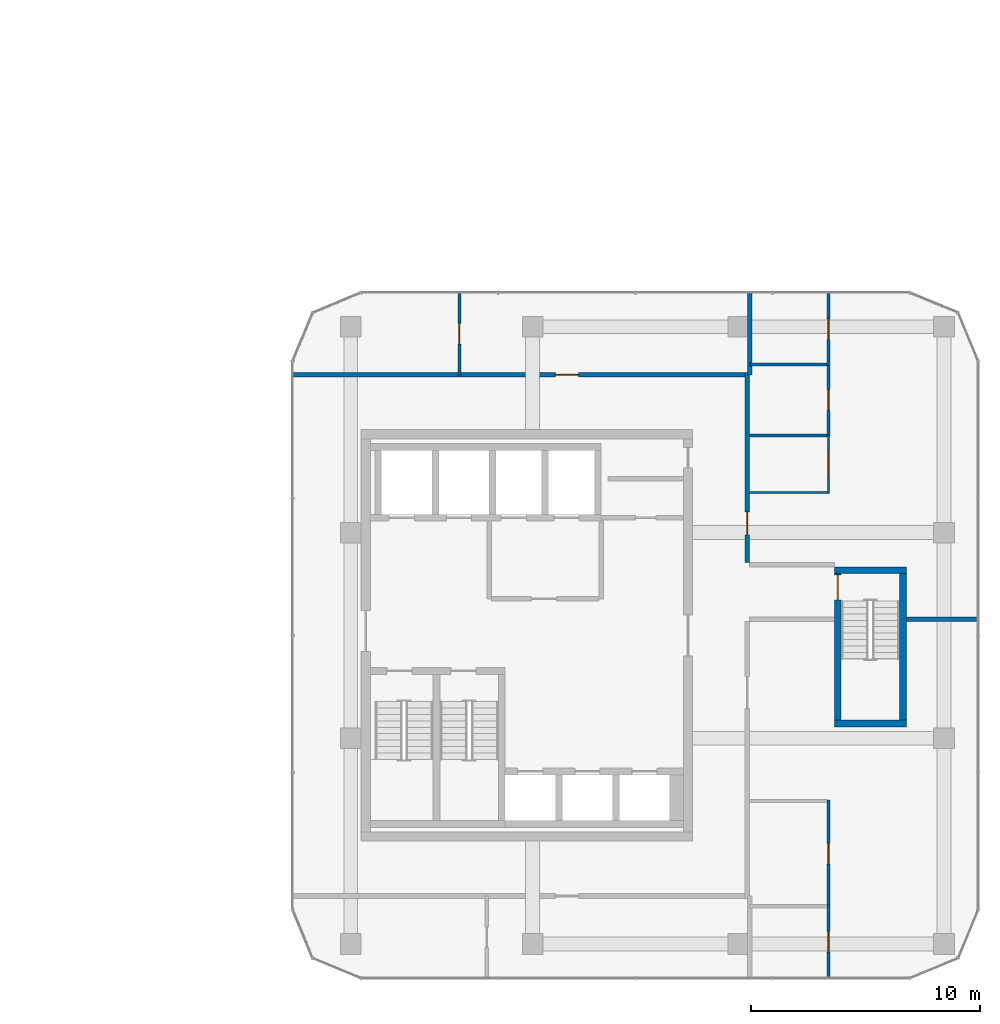
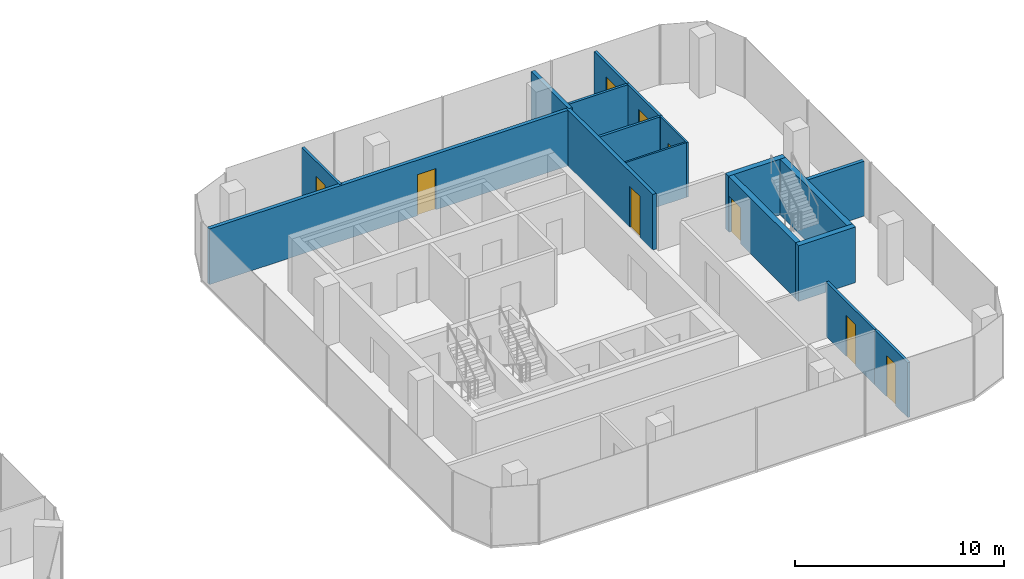
# One storey, part 18 of 22: 17 walls, 9 doors, 9 openings.
"""IFC4 building model written with IfcOpenShell, lengths in metres."""

from ifc_helpers import new_model, si_unit, direction, frame, frame_2d, origin, place, context, subcontext, project, spatial, rectangle, extrude, material, layer, layer_set, type_object, element, fill, save


model = new_model("IFC4")

# Units and contexts
model_context = context("Model", 3, precision=1e-05, world=origin(), true_north=direction((0.0, 1.0)))
body_context = subcontext(model_context, "Body", "Model", "MODEL_VIEW")
ifc_project = project(units=[si_unit("LENGTHUNIT", "METRE"), si_unit("AREAUNIT", "SQUARE_METRE"), si_unit("VOLUMEUNIT", "CUBIC_METRE"), si_unit("PLANEANGLEUNIT", "RADIAN"), si_unit("MASSUNIT", "GRAM", prefix="KILO")], contexts=[model_context])

# Site, building, storey
site_placement = place(None, origin())
site = spatial("IfcSite", under=ifc_project, at=site_placement, CompositionType="ELEMENT")
building_placement = place(site_placement, origin())
building = spatial("IfcBuilding", under=site, at=building_placement, Name="Plateau Cross Towers", CompositionType="ELEMENT")
storey_placement = place(building_placement, frame((0.0, 0.0, 113.300048828125)))
storey = spatial("IfcBuildingStorey", under=building, at=storey_placement, Name="L29", CompositionType="ELEMENT", Elevation=113.300048828125)

# Wall, opening, door
ifc_material_1 = material(Name="Concrete C60/75", Category="concrete")
ifc_layer_1 = layer(ifc_material_1, 0.300048828125)
ifc_layer_set_1 = layer_set([ifc_layer_1], Name="Concrete C60/75")
wall_type_1 = type_object("IfcWallType", Name="Core shaft wall 300", PredefinedType="SHEAR", material=ifc_layer_set_1)
wall_1_placement = place(storey_placement, frame((95.85009765625, 5.300048828125, 0.0), z_axis=(0.0, 0.0, 1.0), x_axis=(0.0, 1.0, 0.0)))
wall_1 = element("IfcWall", 1, at=wall_1_placement, inside=storey, type_object=wall_type_1, Name="B-sb3-W@L29", PredefinedType="SHEAR", context=body_context, shape_type="SweptSolid", body=[
    extrude(rectangle(XDim=6.39990234375, YDim=0.300048828125, at=frame_2d((3.199951171875, 0.0))), origin(), (0.0, 0.0, 1.0), 3.25),
])
opening_1_placement = place(wall_1_placement, frame((5.25, 0.0, 0.0)))
opening_1 = element("IfcOpeningElement", 2, at=opening_1_placement, cuts=wall_1, Name="Opening SD", PredefinedType="OPENING", context=body_context, shape_type="SweptSolid", body=[
    extrude(rectangle(XDim=1.10009765625, YDim=2.10009765625, at=frame_2d((0.550048828125, 1.050048828125))), frame((0.0, 0.159912109375, 0.0), z_axis=(0.0, -1.0, 0.0), x_axis=(1.0, 0.0, 0.0)), (0.0, 0.0, 1.0), 0.320068359375),
])
ifc_material_2 = material(Name="Steel, fire-resisting leaf", Category="steel")
door_type_1 = type_object("IfcDoorType", Name="Stair door 1100", OperationType="NOTDEFINED", PredefinedType="DOOR", material=ifc_material_2)
door_1_placement = place(opening_1_placement, origin())
door_1 = element("IfcDoor", 3, at=door_1_placement, inside=storey, type_object=door_type_1, Name="Stair door SD", OperationType="SINGLE_SWING_LEFT", OverallHeight=2.10009765625, OverallWidth=1.10009765625, PredefinedType="DOOR", context=body_context, shape_type="SweptSolid", body=[
    extrude(rectangle(XDim=1.10009765625, YDim=2.10009765625, at=frame_2d((0.550048828125, 1.050048828125))), frame((0.0, 0.02490234375, 0.0), z_axis=(0.0, -1.0, 0.0), x_axis=(1.0, 0.0, 0.0)), (0.0, 0.0, 1.0), 0.050048828125),
])
fill(opening_1, door_1)

# Walls
wall_2_placement = place(storey_placement, frame((98.699951171875, 5.300048828125, 0.0), z_axis=(0.0, 0.0, 1.0), x_axis=(0.0, 1.0, 0.0)))
element("IfcWall", 4, at=wall_2_placement, inside=storey, type_object=wall_type_1, Name="B-sb3-E@L29", PredefinedType="SHEAR", context=body_context, shape_type="SweptSolid", body=[
    extrude(rectangle(XDim=6.39990234375, YDim=0.300048828125, at=frame_2d((3.199951171875, 0.0))), origin(), (0.0, 0.0, 1.0), 3.25),
])
for number, where, z_axis, x_axis, name in (
    (5, (95.699951171875, 5.14990234375, 0.0), (0.0, 0.0, 1.0), (1.0, 0.0, 0.0), "B-sb3-S@L29"),
    (6, (95.699951171875, 11.85009765625, 0.0), (0.0, 0.0, 1.0), (1.0, 0.0, 0.0), "B-sb3-N@L29"),
):
    element("IfcWall", number, at=place(storey_placement, frame(where, z_axis=z_axis, x_axis=x_axis)), inside=storey, type_object=wall_type_1, Name=name, PredefinedType="SHEAR", context=body_context, shape_type="SweptSolid", body=[
        extrude(rectangle(XDim=3.150146484375, YDim=0.300048828125, at=frame_2d((1.5751953125, 0.0))), origin(), (0.0, 0.0, 1.0), 3.25),
    ])

# Wall, opening, door
ifc_material_3 = material(Name="Gypsum board on steel studs, two layers each side", Category="steel")
ifc_layer_2 = layer(ifc_material_3, 0.199951171875)
ifc_layer_set_2 = layer_set([ifc_layer_2], Name="Gypsum board on steel studs, two layers each side")
wall_type_2 = type_object("IfcWallType", Name="Corridor wall 200", PredefinedType="PARTITIONING", material=ifc_layer_set_2)
wall_3_placement = place(storey_placement, frame((72.0, 20.39990234375, 0.0), z_axis=(0.0, 0.0, 1.0), x_axis=(1.0, 0.0, 0.0)))
wall_3 = element("IfcWall", 7, at=wall_3_placement, inside=storey, type_object=wall_type_2, Name="Ring wall", PredefinedType="PARTITIONING", context=body_context, shape_type="SweptSolid", body=[
    extrude(rectangle(XDim=20.0, YDim=0.199951171875, at=frame_2d((10.0, 0.0))), origin(), (0.0, 0.0, 1.0), 3.25),
])
opening_2_placement = place(wall_3_placement, frame((11.5, 0.0, 0.0)))
opening_2 = element("IfcOpeningElement", 8, at=opening_2_placement, cuts=wall_3, Name="Opening D-BO10", PredefinedType="OPENING", context=body_context, shape_type="SweptSolid", body=[
    extrude(rectangle(XDim=1.0, YDim=2.39990234375, at=frame_2d((0.5, 1.199951171875))), frame((0.0, 0.10986328125, 0.0), z_axis=(0.0, -1.0, 0.0), x_axis=(1.0, 0.0, 0.0)), (0.0, 0.0, 1.0), 0.219970703125),
])
ifc_material_4 = material(Name="Fire-resisting glazed leaf in a steel frame", Category="steel")
door_type_2 = type_object("IfcDoorType", Name="Office glazed entrance leaf 1000x2400", OperationType="NOTDEFINED", PredefinedType="DOOR", material=ifc_material_4)
door_2_placement = place(opening_2_placement, origin())
door_2 = element("IfcDoor", 9, at=door_2_placement, inside=storey, type_object=door_type_2, Name="Door D-BO10", OperationType="SINGLE_SWING_LEFT", OverallHeight=2.39990234375, OverallWidth=1.0, PredefinedType="DOOR", context=body_context, shape_type="SweptSolid", body=[
    extrude(rectangle(XDim=1.0, YDim=2.39990234375, at=frame_2d((0.5, 1.199951171875))), frame((0.0, 0.02490234375, 0.0), z_axis=(0.0, -1.0, 0.0), x_axis=(1.0, 0.0, 0.0)), (0.0, 0.0, 1.0), 0.050048828125),
])
fill(opening_2, door_2)

wall_4_placement = place(storey_placement, frame((91.89990234375, 12.199951171875, 0.0), z_axis=(0.0, 0.0, 1.0), x_axis=(0.0, 1.0, 0.0)))
wall_4 = element("IfcWall", 10, at=wall_4_placement, inside=storey, type_object=wall_type_2, Name="Ring wall", PredefinedType="PARTITIONING", context=body_context, shape_type="SweptSolid", body=[
    extrude(rectangle(XDim=8.300048828125, YDim=0.199951171875, at=frame_2d((4.14990234375, 0.0))), origin(), (0.0, 0.0, 1.0), 3.25),
])
opening_3_placement = place(wall_4_placement, frame((1.199951171875, 0.0, 0.0)))
opening_3 = element("IfcOpeningElement", 11, at=opening_3_placement, cuts=wall_4, Name="Opening D-BO10", PredefinedType="OPENING", context=body_context, shape_type="SweptSolid", body=[
    extrude(rectangle(XDim=1.0, YDim=2.39990234375, at=frame_2d((0.5, 1.199951171875))), frame((0.0, 0.10986328125, 0.0), z_axis=(0.0, -1.0, 0.0), x_axis=(1.0, 0.0, 0.0)), (0.0, 0.0, 1.0), 0.219970703125),
])
door_3_placement = place(opening_3_placement, origin())
door_3 = element("IfcDoor", 12, at=door_3_placement, inside=storey, type_object=door_type_2, Name="Door D-BO10", OperationType="SINGLE_SWING_LEFT", OverallHeight=2.39990234375, OverallWidth=1.0, PredefinedType="DOOR", context=body_context, shape_type="SweptSolid", body=[
    extrude(rectangle(XDim=1.0, YDim=2.39990234375, at=frame_2d((0.5, 1.199951171875))), frame((0.0, 0.02490234375, 0.0), z_axis=(0.0, -1.0, 0.0), x_axis=(1.0, 0.0, 0.0)), (0.0, 0.0, 1.0), 0.050048828125),
])
fill(opening_3, door_3)

ifc_material_5 = material(Name="Gypsum board on staggered steel studs, mineral wool, two layers each side", Category="steel")
ifc_layer_3 = layer(ifc_material_5, 0.139892578125)
ifc_layer_set_3 = layer_set([ifc_layer_3], Name="Gypsum board on staggered steel studs, mineral wool, two layers each side")
wall_type_3 = type_object("IfcWallType", Name="Meeting room acoustic partition 140", PredefinedType="PARTITIONING", material=ifc_layer_set_3)
wall_5_placement = place(storey_placement, frame((95.449951171875, -6.0, 0.0), z_axis=(0.0, 0.0, 1.0), x_axis=(0.0, 1.0, 0.0)))
wall_5 = element("IfcWall", 13, at=wall_5_placement, inside=storey, type_object=wall_type_3, Name="Acoustic wall", PredefinedType="PARTITIONING", context=body_context, shape_type="SweptSolid", body=[
    extrude(rectangle(XDim=3.199951171875, YDim=0.139892578125, at=frame_2d((1.60009765625, 0.0))), origin(), (0.0, 0.0, 1.0), 3.199951171875),
])
opening_4_placement = place(wall_5_placement, frame((1.14990234375, 0.0, 0.0)))
opening_4 = element("IfcOpeningElement", 14, at=opening_4_placement, cuts=wall_5, Name="Opening D-BM9", PredefinedType="OPENING", context=body_context, shape_type="SweptSolid", body=[
    extrude(rectangle(XDim=0.89990234375, YDim=2.39990234375, at=frame_2d((0.449951171875, 1.199951171875))), frame((0.0, 0.079833984375, 0.0), z_axis=(0.0, -1.0, 0.0), x_axis=(1.0, 0.0, 0.0)), (0.0, 0.0, 1.0), 0.159912109375),
])
ifc_material_6 = material(Name="Timber leaf, full height", Category="wood")
door_type_3 = type_object("IfcDoorType", Name="Meeting room door 900x2400", OperationType="NOTDEFINED", PredefinedType="DOOR", material=ifc_material_6)
door_4_placement = place(opening_4_placement, origin())
door_4 = element("IfcDoor", 15, at=door_4_placement, inside=storey, type_object=door_type_3, Name="Door D-BM9", OperationType="SINGLE_SWING_LEFT", OverallHeight=2.39990234375, OverallWidth=0.89990234375, PredefinedType="DOOR", context=body_context, shape_type="SweptSolid", body=[
    extrude(rectangle(XDim=0.89990234375, YDim=2.39990234375, at=frame_2d((0.449951171875, 1.199951171875))), frame((0.0, 0.02490234375, 0.0), z_axis=(0.0, -1.0, 0.0), x_axis=(1.0, 0.0, 0.0)), (0.0, 0.0, 1.0), 0.050048828125),
])
fill(opening_4, door_4)

wall_6_placement = place(storey_placement, frame((95.449951171875, -2.89990234375, 0.0), z_axis=(0.0, 0.0, 1.0), x_axis=(0.0, 1.0, 0.0)))
wall_6 = element("IfcWall", 16, at=wall_6_placement, inside=storey, type_object=wall_type_3, Name="Acoustic wall", PredefinedType="PARTITIONING", context=body_context, shape_type="SweptSolid", body=[
    extrude(rectangle(XDim=4.699951171875, YDim=0.139892578125, at=frame_2d((2.35009765625, 0.0))), origin(), (0.0, 0.0, 1.0), 3.199951171875),
])
opening_5_placement = place(wall_6_placement, frame((1.89990234375, 0.0, 0.0)))
opening_5 = element("IfcOpeningElement", 17, at=opening_5_placement, cuts=wall_6, Name="Opening D-BM9", PredefinedType="OPENING", context=body_context, shape_type="SweptSolid", body=[
    extrude(rectangle(XDim=0.89990234375, YDim=2.39990234375, at=frame_2d((0.449951171875, 1.199951171875))), frame((0.0, 0.079833984375, 0.0), z_axis=(0.0, -1.0, 0.0), x_axis=(1.0, 0.0, 0.0)), (0.0, 0.0, 1.0), 0.159912109375),
])
door_5_placement = place(opening_5_placement, origin())
door_5 = element("IfcDoor", 18, at=door_5_placement, inside=storey, type_object=door_type_3, Name="Door D-BM9", OperationType="SINGLE_SWING_LEFT", OverallHeight=2.39990234375, OverallWidth=0.89990234375, PredefinedType="DOOR", context=body_context, shape_type="SweptSolid", body=[
    extrude(rectangle(XDim=0.89990234375, YDim=2.39990234375, at=frame_2d((0.449951171875, 1.199951171875))), frame((0.0, 0.02490234375, 0.0), z_axis=(0.0, -1.0, 0.0), x_axis=(1.0, 0.0, 0.0)), (0.0, 0.0, 1.0), 0.050048828125),
])
fill(opening_5, door_5)

wall_7_placement = place(storey_placement, frame((95.449951171875, 20.800048828125, 0.0), z_axis=(0.0, 0.0, 1.0), x_axis=(0.0, 1.0, 0.0)))
wall_7 = element("IfcWall", 19, at=wall_7_placement, inside=storey, type_object=wall_type_3, Name="Acoustic wall", PredefinedType="PARTITIONING", context=body_context, shape_type="SweptSolid", body=[
    extrude(rectangle(XDim=3.199951171875, YDim=0.139892578125, at=frame_2d((1.60009765625, 0.0))), origin(), (0.0, 0.0, 1.0), 3.199951171875),
])
opening_6_placement = place(wall_7_placement, frame((1.14990234375, 0.0, 0.0)))
opening_6 = element("IfcOpeningElement", 20, at=opening_6_placement, cuts=wall_7, Name="Opening D-BM9", PredefinedType="OPENING", context=body_context, shape_type="SweptSolid", body=[
    extrude(rectangle(XDim=0.89990234375, YDim=2.39990234375, at=frame_2d((0.449951171875, 1.199951171875))), frame((0.0, 0.079833984375, 0.0), z_axis=(0.0, -1.0, 0.0), x_axis=(1.0, 0.0, 0.0)), (0.0, 0.0, 1.0), 0.159912109375),
])
door_6_placement = place(opening_6_placement, origin())
door_6 = element("IfcDoor", 21, at=door_6_placement, inside=storey, type_object=door_type_3, Name="Door D-BM9", OperationType="SINGLE_SWING_LEFT", OverallHeight=2.39990234375, OverallWidth=0.89990234375, PredefinedType="DOOR", context=body_context, shape_type="SweptSolid", body=[
    extrude(rectangle(XDim=0.89990234375, YDim=2.39990234375, at=frame_2d((0.449951171875, 1.199951171875))), frame((0.0, 0.02490234375, 0.0), z_axis=(0.0, -1.0, 0.0), x_axis=(1.0, 0.0, 0.0)), (0.0, 0.0, 1.0), 0.050048828125),
])
fill(opening_6, door_6)

# Wall
wall_8_placement = place(storey_placement, frame((92.0, 20.85009765625, 0.0), z_axis=(0.0, 0.0, 1.0), x_axis=(1.0, 0.0, 0.0)))
element("IfcWall", 22, at=wall_8_placement, inside=storey, type_object=wall_type_3, Name="Acoustic wall", PredefinedType="PARTITIONING", context=body_context, shape_type="SweptSolid", body=[
    extrude(rectangle(XDim=3.3798828125, YDim=0.139892578125, at=frame_2d((1.68994140625, 0.0))), origin(), (0.0, 0.0, 1.0), 3.199951171875),
])

# Wall, opening, door
wall_9_placement = place(storey_placement, frame((95.449951171875, 17.699951171875, 0.0), z_axis=(0.0, 0.0, 1.0), x_axis=(0.0, 1.0, 0.0)))
wall_9 = element("IfcWall", 23, at=wall_9_placement, inside=storey, type_object=wall_type_3, Name="Acoustic wall", PredefinedType="PARTITIONING", context=body_context, shape_type="SweptSolid", body=[
    extrude(rectangle(XDim=3.199951171875, YDim=0.139892578125, at=frame_2d((1.60009765625, 0.0))), origin(), (0.0, 0.0, 1.0), 3.199951171875),
])
opening_7_placement = place(wall_9_placement, frame((1.14990234375, 0.0, 0.0)))
opening_7 = element("IfcOpeningElement", 24, at=opening_7_placement, cuts=wall_9, Name="Opening D-BM9", PredefinedType="OPENING", context=body_context, shape_type="SweptSolid", body=[
    extrude(rectangle(XDim=0.89990234375, YDim=2.39990234375, at=frame_2d((0.449951171875, 1.199951171875))), frame((0.0, 0.079833984375, 0.0), z_axis=(0.0, -1.0, 0.0), x_axis=(1.0, 0.0, 0.0)), (0.0, 0.0, 1.0), 0.159912109375),
])
door_7_placement = place(opening_7_placement, origin())
door_7 = element("IfcDoor", 25, at=door_7_placement, inside=storey, type_object=door_type_3, Name="Door D-BM9", OperationType="SINGLE_SWING_LEFT", OverallHeight=2.39990234375, OverallWidth=0.89990234375, PredefinedType="DOOR", context=body_context, shape_type="SweptSolid", body=[
    extrude(rectangle(XDim=0.89990234375, YDim=2.39990234375, at=frame_2d((0.449951171875, 1.199951171875))), frame((0.0, 0.02490234375, 0.0), z_axis=(0.0, -1.0, 0.0), x_axis=(1.0, 0.0, 0.0)), (0.0, 0.0, 1.0), 0.050048828125),
])
fill(opening_7, door_7)

# Wall
wall_10_placement = place(storey_placement, frame((92.0, 17.75, 0.0), z_axis=(0.0, 0.0, 1.0), x_axis=(1.0, 0.0, 0.0)))
element("IfcWall", 26, at=wall_10_placement, inside=storey, type_object=wall_type_3, Name="Acoustic wall", PredefinedType="PARTITIONING", context=body_context, shape_type="SweptSolid", body=[
    extrude(rectangle(XDim=3.3798828125, YDim=0.139892578125, at=frame_2d((1.68994140625, 0.0))), origin(), (0.0, 0.0, 1.0), 3.199951171875),
])

# Wall, opening, door
wall_11_placement = place(storey_placement, frame((79.300048828125, 20.39990234375, 0.0), z_axis=(0.0, 0.0, 1.0), x_axis=(0.0, 1.0, 0.0)))
wall_11 = element("IfcWall", 27, at=wall_11_placement, inside=storey, type_object=wall_type_3, Name="Acoustic wall", PredefinedType="PARTITIONING", context=body_context, shape_type="SweptSolid", body=[
    extrude(rectangle(XDim=3.60009765625, YDim=0.139892578125, at=frame_2d((1.800048828125, 0.0))), origin(), (0.0, 0.0, 1.0), 3.25),
])
opening_8_placement = place(wall_11_placement, frame((1.35009765625, 0.0, 0.0)))
opening_8 = element("IfcOpeningElement", 28, at=opening_8_placement, cuts=wall_11, Name="Opening D-BM9", PredefinedType="OPENING", context=body_context, shape_type="SweptSolid", body=[
    extrude(rectangle(XDim=0.89990234375, YDim=2.39990234375, at=frame_2d((0.449951171875, 1.199951171875))), frame((0.0, 0.079833984375, 0.0), z_axis=(0.0, -1.0, 0.0), x_axis=(1.0, 0.0, 0.0)), (0.0, 0.0, 1.0), 0.159912109375),
])
door_8_placement = place(opening_8_placement, origin())
door_8 = element("IfcDoor", 29, at=door_8_placement, inside=storey, type_object=door_type_3, Name="Door D-BM9", OperationType="SINGLE_SWING_LEFT", OverallHeight=2.39990234375, OverallWidth=0.89990234375, PredefinedType="DOOR", context=body_context, shape_type="SweptSolid", body=[
    extrude(rectangle(XDim=0.89990234375, YDim=2.39990234375, at=frame_2d((0.449951171875, 1.199951171875))), frame((0.0, 0.02490234375, 0.0), z_axis=(0.0, -1.0, 0.0), x_axis=(1.0, 0.0, 0.0)), (0.0, 0.0, 1.0), 0.050048828125),
])
fill(opening_8, door_8)

ifc_material_7 = material(Name="Gypsum board on steel studs", Category="steel")
ifc_layer_4 = layer(ifc_material_7, 0.10009765625)
ifc_layer_set_4 = layer_set([ifc_layer_4], Name="Gypsum board on steel studs")
wall_type_4 = type_object("IfcWallType", Name="Office partition 100", PredefinedType="PARTITIONING", material=ifc_layer_set_4)
wall_12_placement = place(storey_placement, frame((95.449951171875, 15.199951171875, 0.0), z_axis=(0.0, 0.0, 1.0), x_axis=(0.0, 1.0, 0.0)))
wall_12 = element("IfcWall", 30, at=wall_12_placement, inside=storey, type_object=wall_type_4, Name="Part wall", PredefinedType="PARTITIONING", context=body_context, shape_type="SweptSolid", body=[
    extrude(rectangle(XDim=2.60009765625, YDim=0.10009765625, at=frame_2d((1.300048828125, 0.0))), origin(), (0.0, 0.0, 1.0), 3.199951171875),
])
opening_9_placement = place(wall_12_placement, frame((0.85009765625, 0.0, 0.0)))
opening_9 = element("IfcOpeningElement", 31, at=opening_9_placement, cuts=wall_12, Name="Opening D-BR9", PredefinedType="OPENING", context=body_context, shape_type="SweptSolid", body=[
    extrude(rectangle(XDim=0.89990234375, YDim=2.10009765625, at=frame_2d((0.449951171875, 1.050048828125))), frame((0.0, 0.06005859375, 0.0), z_axis=(0.0, -1.0, 0.0), x_axis=(1.0, 0.0, 0.0)), (0.0, 0.0, 1.0), 0.1201171875),
])
ifc_material_8 = material(Name="Timber leaf", Category="wood")
door_type_4 = type_object("IfcDoorType", Name="Office room door 900", OperationType="NOTDEFINED", PredefinedType="DOOR", material=ifc_material_8)
door_9_placement = place(opening_9_placement, origin())
door_9 = element("IfcDoor", 32, at=door_9_placement, inside=storey, type_object=door_type_4, Name="Door D-BR9", OperationType="SINGLE_SWING_LEFT", OverallHeight=2.10009765625, OverallWidth=0.89990234375, PredefinedType="DOOR", context=body_context, shape_type="SweptSolid", body=[
    extrude(rectangle(XDim=0.89990234375, YDim=2.10009765625, at=frame_2d((0.449951171875, 1.050048828125))), frame((0.0, 0.02490234375, 0.0), z_axis=(0.0, -1.0, 0.0), x_axis=(1.0, 0.0, 0.0)), (0.0, 0.0, 1.0), 0.050048828125),
])
fill(opening_9, door_9)

# Walls
wall_13_placement = place(storey_placement, frame((92.0, 15.25, 0.0), z_axis=(0.0, 0.0, 1.0), x_axis=(1.0, 0.0, 0.0)))
element("IfcWall", 33, at=wall_13_placement, inside=storey, type_object=wall_type_4, Name="Part wall", PredefinedType="PARTITIONING", context=body_context, shape_type="SweptSolid", body=[
    extrude(rectangle(XDim=3.39990234375, YDim=0.10009765625, at=frame_2d((1.699951171875, 0.0))), origin(), (0.0, 0.0, 1.0), 3.199951171875),
])
ifc_layer_5 = layer(ifc_material_3, 0.199951171875)
ifc_layer_set_5 = layer_set([ifc_layer_5], Name="Gypsum board on steel studs, two layers each side")
wall_type_5 = type_object("IfcWallType", Name="Tenancy demising wall 200", PredefinedType="PARTITIONING", material=ifc_layer_set_5)
wall_14_placement = place(storey_placement, frame((98.85009765625, 9.699951171875, 0.0), z_axis=(0.0, 0.0, 1.0), x_axis=(1.0, 0.0, 0.0)))
element("IfcWall", 34, at=wall_14_placement, inside=storey, type_object=wall_type_5, Name="Demising wall", PredefinedType="PARTITIONING", context=body_context, shape_type="SweptSolid", body=[
    extrude(rectangle(XDim=3.14990234375, YDim=0.199951171875, at=frame_2d((1.574951171875, 0.0))), origin(), (0.0, 0.0, 1.0), 3.199951171875),
])
wall_15_placement = place(storey_placement, frame((92.0, 20.39990234375, 0.0), z_axis=(0.0, 0.0, 1.0), x_axis=(0.0, 1.0, 0.0)))
element("IfcWall", 35, at=wall_15_placement, inside=storey, type_object=wall_type_5, Name="Demising wall", PredefinedType="PARTITIONING", context=body_context, shape_type="SweptSolid", body=[
    extrude(rectangle(XDim=3.60009765625, YDim=0.199951171875, at=frame_2d((1.800048828125, 0.0))), origin(), (0.0, 0.0, 1.0), 3.25),
])

save(model, "model.ifc")
